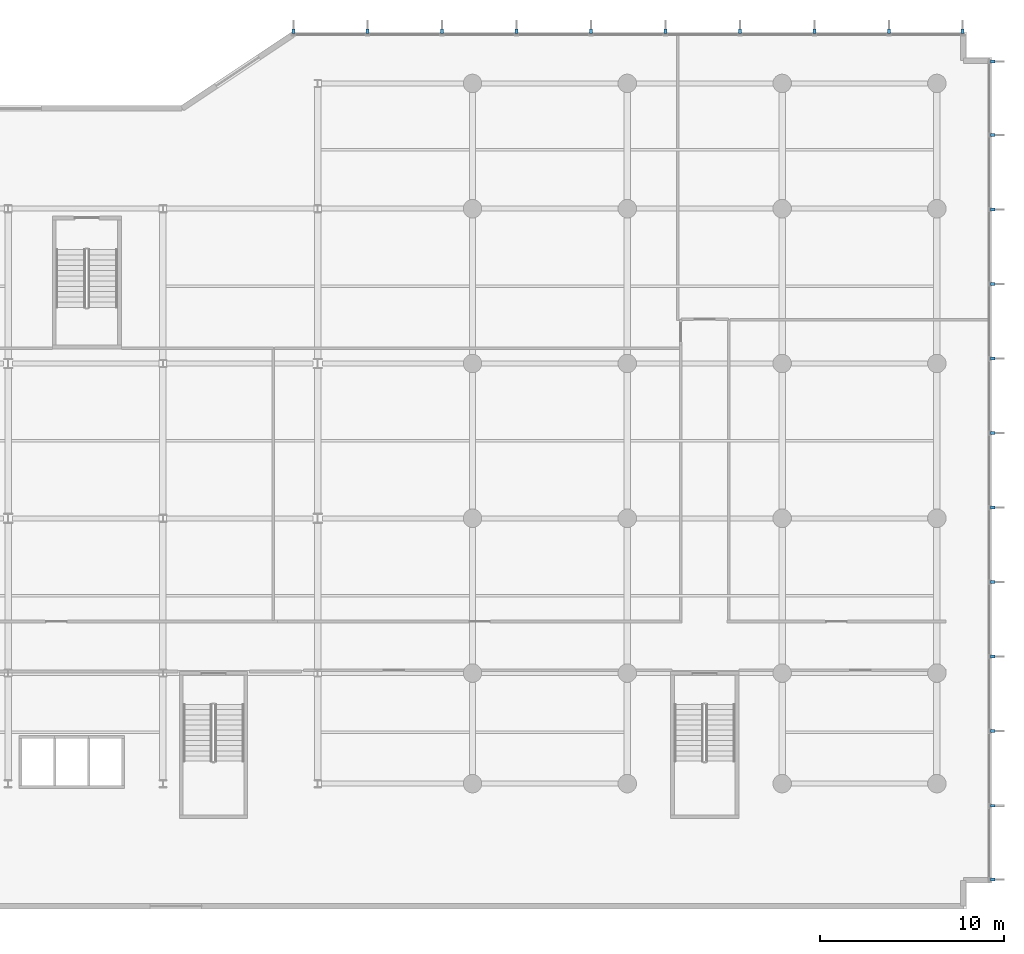
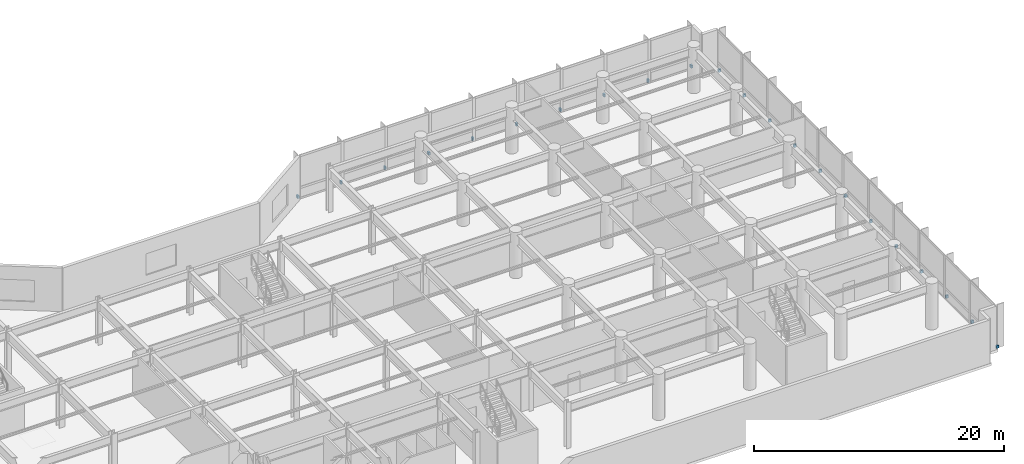
# One storey, part 20 of 26: 22 discrete accessories.
"""IFC4 building model written with IfcOpenShell, lengths in metres."""

from ifc_helpers import new_model, si_unit, direction, frame, origin, origin_2d, place, context, subcontext, project, spatial, rectangle, extrude, material, type_object, element, save


model = new_model("IFC4")

# Units and contexts
model_context = context("Model", 3, precision=1e-05, world=origin(), true_north=direction((0.0, 1.0)))
body_context = subcontext(model_context, "Body", "Model", "MODEL_VIEW")
ifc_project = project(units=[si_unit("LENGTHUNIT", "METRE"), si_unit("AREAUNIT", "SQUARE_METRE"), si_unit("VOLUMEUNIT", "CUBIC_METRE"), si_unit("PLANEANGLEUNIT", "RADIAN"), si_unit("MASSUNIT", "GRAM", prefix="KILO")], contexts=[model_context])

# Site, building, storey
site_placement = place(None, origin())
site = spatial("IfcSite", under=ifc_project, at=site_placement, CompositionType="ELEMENT")
building_placement = place(site_placement, origin())
building = spatial("IfcBuilding", under=site, at=building_placement, Name="Varnakote Quay Hospital", CompositionType="ELEMENT")
storey_placement = place(building_placement, frame((0.0, 0.0, 13.5)))
storey = spatial("IfcBuildingStorey", under=building, at=storey_placement, Name="L03", CompositionType="ELEMENT", Elevation=13.5)

# Discrete accessories
ifc_material = material(Name="Anodised aluminium 6063-T6 Bronze", Category="aluminium")
discrete_accessory_type = type_object("IfcDiscreteAccessoryType", Name="ACC-FIN-BRACKET-180", PredefinedType="BRACKET", material=ifc_material)
for number, where, z_axis, x_axis, name in (
    (1, (87.030029296875, 0.802490234375, 0.0), (0.0, 0.0, 1.0), (0.0, 1.0, 0.0), "L03 Curtain Wall Fin Fixing Bracket"),
    (2, (87.030029296875, 4.8037109375, 0.0), (0.0, 0.0, 1.0), (0.0, 1.0, 0.0), "L03 Curtain Wall Fin Fixing Bracket"),
    (3, (87.030029296875, 8.847412109375, 0.0), (0.0, 0.0, 1.0), (0.0, 1.0, 0.0), "L03 Curtain Wall Fin Fixing Bracket"),
    (4, (87.030029296875, 12.890869140625, 0.0), (0.0, 0.0, 1.0), (0.0, 1.0, 0.0), "L03 Curtain Wall Fin Fixing Bracket"),
    (5, (87.030029296875, 16.9345703125, 0.0), (0.0, 0.0, 1.0), (0.0, 1.0, 0.0), "L03 Curtain Wall Fin Fixing Bracket"),
    (6, (87.030029296875, 20.978271484375, 0.0), (0.0, 0.0, 1.0), (0.0, 1.0, 0.0), "L03 Curtain Wall Fin Fixing Bracket"),
    (7, (87.030029296875, 25.021728515625, 0.0), (0.0, 0.0, 1.0), (0.0, 1.0, 0.0), "L03 Curtain Wall Fin Fixing Bracket"),
    (8, (87.030029296875, 29.0654296875, 0.0), (0.0, 0.0, 1.0), (0.0, 1.0, 0.0), "L03 Curtain Wall Fin Fixing Bracket"),
    (9, (87.030029296875, 33.109130859375, 0.0), (0.0, 0.0, 1.0), (0.0, 1.0, 0.0), "L03 Curtain Wall Fin Fixing Bracket"),
    (10, (87.030029296875, 37.152587890625, 0.0), (0.0, 0.0, 1.0), (0.0, 1.0, 0.0), "L03 Curtain Wall Fin Fixing Bracket"),
    (11, (87.030029296875, 41.1962890625, 0.0), (0.0, 0.0, 1.0), (0.0, 1.0, 0.0), "L03 Curtain Wall Fin Fixing Bracket"),
    (12, (87.030029296875, 45.197509765625, 0.0), (0.0, 0.0, 1.0), (0.0, 1.0, 0.0), "L03 Curtain Wall Fin Fixing Bracket"),
    (13, (85.3974609375, 46.830078125, 0.0), (0.0, 0.0, 1.0), (-1.0, 0.0, 0.0), "L03 Curtain Wall Fin Fixing Bracket"),
    (14, (81.396484375, 46.830078125, 0.0), (0.0, 0.0, 1.0), (-1.0, 0.0, 0.0), "L03 Curtain Wall Fin Fixing Bracket"),
    (15, (77.35302734375, 46.830078125, 0.0), (0.0, 0.0, 1.0), (-1.0, 0.0, 0.0), "L03 Curtain Wall Fin Fixing Bracket"),
    (16, (73.3095703125, 46.830078125, 0.0), (0.0, 0.0, 1.0), (-1.0, 0.0, 0.0), "L03 Curtain Wall Fin Fixing Bracket"),
    (17, (69.26611328125, 46.830078125, 0.0), (0.0, 0.0, 1.0), (-1.0, 0.0, 0.0), "L03 Curtain Wall Fin Fixing Bracket"),
    (18, (65.222412109375, 46.830078125, 0.0), (0.0, 0.0, 1.0), (-1.0, 0.0, 0.0), "L03 Curtain Wall Fin Fixing Bracket"),
    (19, (61.178955078125, 46.830078125, 0.0), (0.0, 0.0, 1.0), (-1.0, 0.0, 0.0), "L03 Curtain Wall Fin Fixing Bracket"),
    (20, (57.135498046875, 46.830078125, 0.0), (0.0, 0.0, 1.0), (-1.0, 0.0, 0.0), "L03 Curtain Wall Fin Fixing Bracket"),
    (21, (53.091796875, 46.830078125, 0.0), (0.0, 0.0, 1.0), (-1.0, 0.0, 0.0), "L03 Curtain Wall Fin Fixing Bracket"),
    (22, (49.0908203125, 46.830078125, 0.0), (0.0, 0.0, 1.0), (-1.0, 0.0, 0.0), "L03 Curtain Wall Fin Fixing Bracket"),
):
    element("IfcDiscreteAccessory", number, at=place(storey_placement, frame(where, z_axis=z_axis, x_axis=x_axis)), inside=storey, type_object=discrete_accessory_type, Name=name, PredefinedType="BRACKET", context=body_context, shape_type="SweptSolid", body=[
        extrude(rectangle(XDim=0.159912109375, YDim=0.239990234375, at=origin_2d()), origin(), (0.0, 0.0, 1.0), 0.280029296875),
    ])

save(model, "model.ifc")
